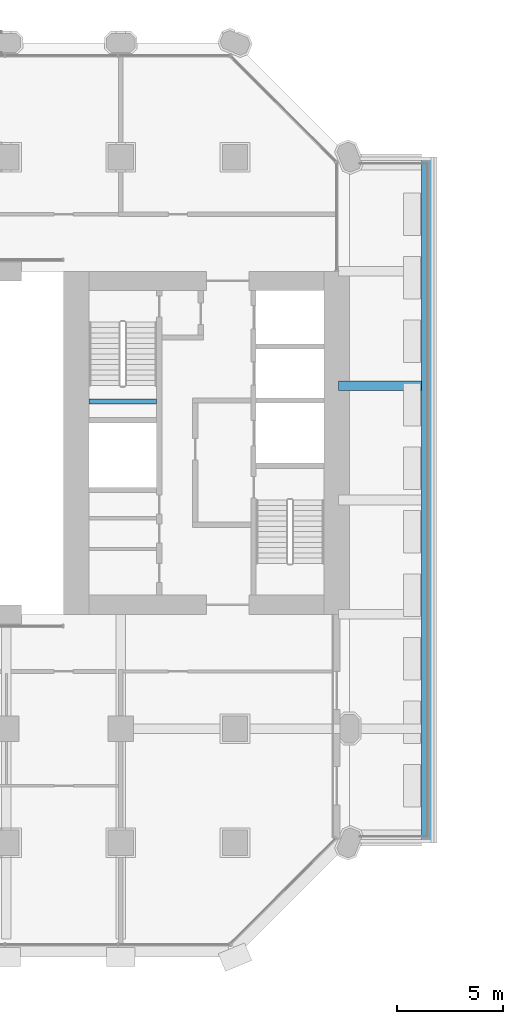
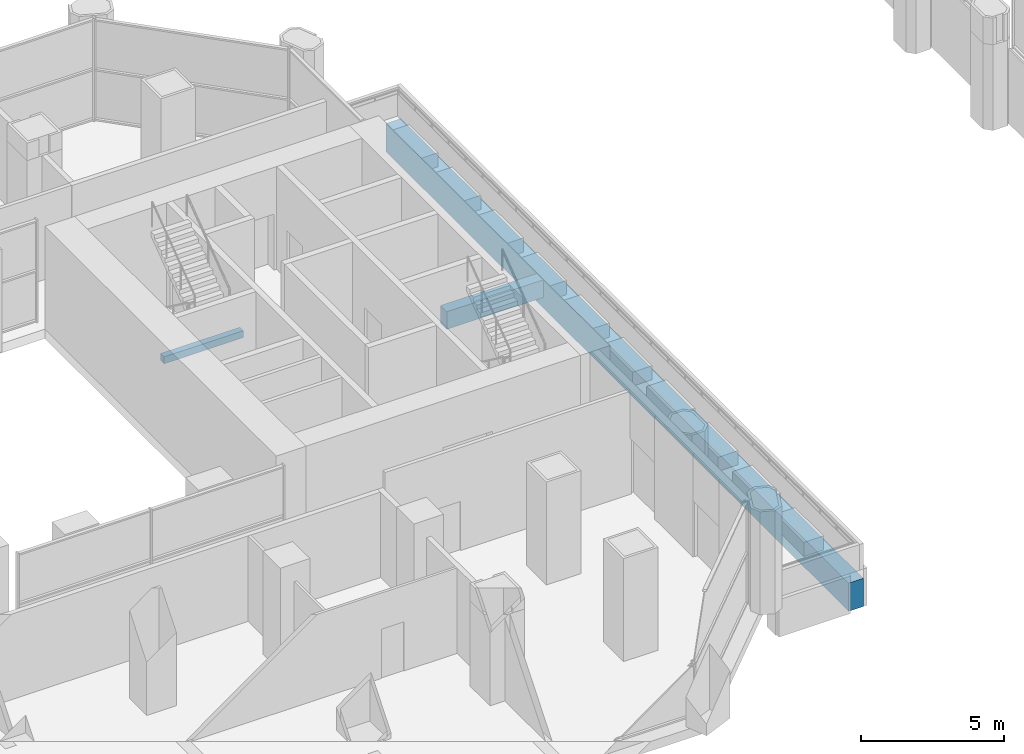
# One storey, part 7 of 42: 3 beams.
"""IFC4 building model written with IfcOpenShell, lengths in metres."""

from ifc_helpers import new_model, si_unit, direction, frame, origin, origin_2d, place, context, subcontext, project, spatial, rectangle, extrude, material, material_profile, profile_set, type_object, element, save


model = new_model("IFC4")

# Units and contexts
model_context = context("Model", 3, precision=1e-05, world=origin(), true_north=direction((0.0, 1.0)))
body_context = subcontext(model_context, "Body", "Model", "MODEL_VIEW")
ifc_project = project(units=[si_unit("LENGTHUNIT", "METRE"), si_unit("AREAUNIT", "SQUARE_METRE"), si_unit("VOLUMEUNIT", "CUBIC_METRE"), si_unit("PLANEANGLEUNIT", "RADIAN"), si_unit("MASSUNIT", "GRAM", prefix="KILO")], contexts=[model_context])

# Site, building, storey
site_placement = place(None, origin())
site = spatial("IfcSite", under=ifc_project, at=site_placement, CompositionType="ELEMENT")
building_placement = place(site_placement, origin())
building = spatial("IfcBuilding", under=site, at=building_placement, Name="Tabaq Tower and Sports Hall", CompositionType="ELEMENT")
storey_placement = place(building_placement, frame((0.0, 0.0, 19.800048828125)))
storey = spatial("IfcBuildingStorey", under=building, at=storey_placement, Name="L03", CompositionType="ELEMENT", Elevation=19.800048828125)

# Beams
ifc_material_1 = material(Name="Concrete C40/50", Category="concrete")
ifc_material_profile_1 = material_profile(ifc_material_1, rectangle(XDim=0.60009765625, YDim=1.199951171875, at=origin_2d()), Name="EBT 600x1200")
ifc_profile_set_1 = profile_set([ifc_material_profile_1], Name="Concrete C40/50")
beam_type_1 = type_object("IfcBeamType", Name="Concrete C40/50 PT edge band EBT 600x1200", PredefinedType="BEAM", material=ifc_profile_set_1)
beam_1_placement = place(storey_placement, frame((46.89990234375, 5.39990234375, -1.0), z_axis=(0.0, 1.0, 0.0), x_axis=(-1.0, 0.0, 0.0)))
element("IfcBeam", 1, at=beam_1_placement, inside=storey, type_object=beam_type_1, Name="Tray edge band L03", PredefinedType="BEAM", context=body_context, shape_type="SweptSolid", body=[
    extrude(rectangle(XDim=0.60009765625, YDim=1.199951171875, at=origin_2d()), origin(), (0.0, 0.0, 1.0), 32.400146484375),
])
ifc_material_2 = material(Name="Concrete C40/50", Category="concrete")
ifc_material_profile_2 = material_profile(ifc_material_2, rectangle(XDim=0.449951171875, YDim=0.75, at=origin_2d()), Name="CB 450x750")
ifc_profile_set_2 = profile_set([ifc_material_profile_2], Name="Concrete C40/50")
beam_type_2 = type_object("IfcBeamType", Name="PT CANTILEVER BEAM CB 450x750 C40/50", PredefinedType="BEAM", material=ifc_profile_set_2)
beam_2_placement = place(storey_placement, frame((46.60009765625, 27.0, -0.775146484375), z_axis=(-1.0, 0.0, 0.0), x_axis=(0.0, -1.0, 0.0)))
element("IfcBeam", 2, at=beam_2_placement, inside=storey, type_object=beam_type_2, Name="Tray Cantilever Beam L03 T4 span 1", PredefinedType="BEAM", context=body_context, shape_type="SweptSolid", body=[
    extrude(rectangle(XDim=0.449951171875, YDim=0.75, at=origin_2d()), origin(), (0.0, 0.0, 1.0), 3.900146484375),
])
ifc_material_3 = material(Name="Concrete C40/50", Category="concrete")
ifc_material_profile_3 = material_profile(ifc_material_3, rectangle(XDim=0.25, YDim=0.300048828125, at=origin_2d()), Name="RC 250x300")
ifc_profile_set_3 = profile_set([ifc_material_profile_3], Name="Concrete C40/50")
beam_type_3 = type_object("IfcBeamType", Name="Stair landing beam 250x300", PredefinedType="BEAM", material=ifc_profile_set_3)
beam_3_placement = place(storey_placement, frame((30.89990234375, 26.25, 2.050048828125), z_axis=(1.0, 0.0, 0.0), x_axis=(0.0, 1.0, 0.0)))
element("IfcBeam", 3, at=beam_3_placement, inside=storey, type_object=beam_type_3, Name="L03 ST4 landing beam 1", PredefinedType="BEAM", context=body_context, shape_type="SweptSolid", body=[
    extrude(rectangle(XDim=0.25, YDim=0.300048828125, at=origin_2d()), origin(), (0.0, 0.0, 1.0), 3.2001953125),
])

save(model, "model.ifc")
